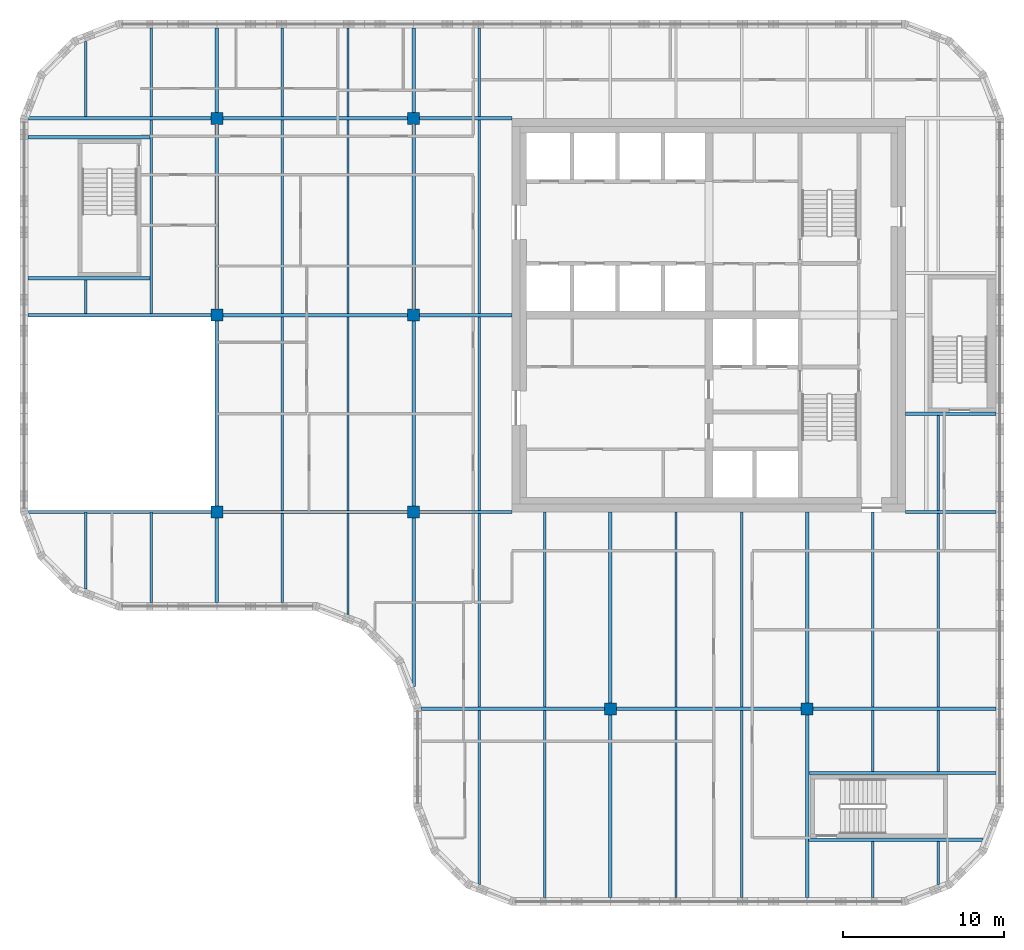
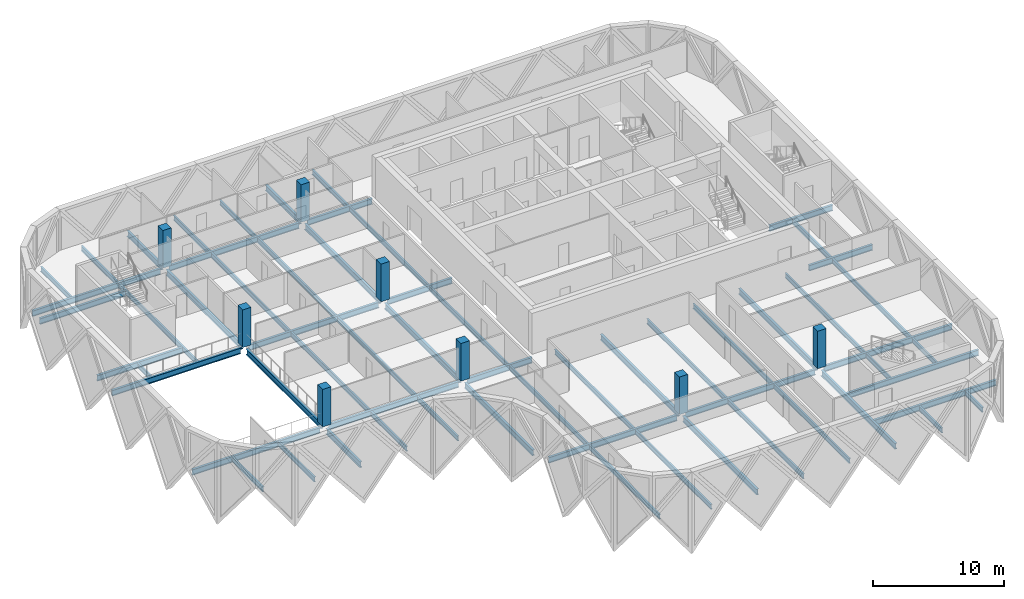
# One storey, part 1 of 15: 62 beams, 8 columns.
"""IFC4 building model written with IfcOpenShell, lengths in metres."""

from ifc_helpers import new_model, si_unit, direction, frame, origin, origin_2d, place, context, subcontext, project, spatial, rectangle, i_section, extrude, material, material_profile, profile_set, type_object, element, save


model = new_model("IFC4")

# Units and contexts
model_context = context("Model", 3, precision=1e-05, world=origin(), true_north=direction((0.0, 1.0)))
body_context = subcontext(model_context, "Body", "Model", "MODEL_VIEW")
ifc_project = project(units=[si_unit("LENGTHUNIT", "METRE"), si_unit("AREAUNIT", "SQUARE_METRE"), si_unit("VOLUMEUNIT", "CUBIC_METRE"), si_unit("PLANEANGLEUNIT", "RADIAN"), si_unit("MASSUNIT", "GRAM", prefix="KILO")], contexts=[model_context])

# Site, building, storey
site_placement = place(None, origin())
site = spatial("IfcSite", under=ifc_project, at=site_placement, CompositionType="ELEMENT")
building_placement = place(site_placement, origin())
building = spatial("IfcBuilding", under=site, at=building_placement, Name="Tessera Gate Towers", CompositionType="ELEMENT")
storey_placement = place(building_placement, frame((0.0, 0.0, 228.300048828125)))
storey = spatial("IfcBuildingStorey", under=building, at=storey_placement, Name="L57", CompositionType="ELEMENT", Elevation=228.300048828125)

# Columns
ifc_material_1 = material(Name="Concrete C70/85", Category="concrete")
ifc_material_profile_1 = material_profile(ifc_material_1, rectangle(XDim=0.75, YDim=0.75, at=origin_2d()), Name="RC 750x750")
ifc_profile_set_1 = profile_set([ifc_material_profile_1], Name="Concrete C70/85")
column_type = type_object("IfcColumnType", Name="COLUMN RC 750x750", PredefinedType="COLUMN", material=ifc_profile_set_1)
for number, where, z_axis, x_axis, name in (
    (1, (12.199951171875, 24.39990234375, 0.0), (0.0, 0.0, 1.0), (1.0, 0.0, 0.0), "T1-COL-2C-L57"),
    (2, (12.199951171875, 36.60009765625, 0.0), (0.0, 0.0, 1.0), (1.0, 0.0, 0.0), "T1-COL-2D-L57"),
    (3, (12.199951171875, 48.800048828125, 0.0), (0.0, 0.0, 1.0), (1.0, 0.0, 0.0), "T1-COL-2E-L57"),
    (4, (24.39990234375, 24.39990234375, 0.0), (0.0, 0.0, 1.0), (1.0, 0.0, 0.0), "T1-COL-3C-L57"),
    (5, (24.39990234375, 36.60009765625, 0.0), (0.0, 0.0, 1.0), (1.0, 0.0, 0.0), "T1-COL-3D-L57"),
    (6, (24.39990234375, 48.800048828125, 0.0), (0.0, 0.0, 1.0), (1.0, 0.0, 0.0), "T1-COL-3E-L57"),
    (7, (36.60009765625, 12.199951171875, 0.0), (0.0, 0.0, 1.0), (1.0, 0.0, 0.0), "T1-COL-4B-L57"),
    (8, (48.800048828125, 12.199951171875, 0.0), (0.0, 0.0, 1.0), (1.0, 0.0, 0.0), "T1-COL-5B-L57"),
):
    element("IfcColumn", number, at=place(storey_placement, frame(where, z_axis=z_axis, x_axis=x_axis)), inside=storey, type_object=column_type, Name=name, PredefinedType="COLUMN", context=body_context, shape_type="SweptSolid", body=[
        extrude(rectangle(XDim=0.75, YDim=0.75, at=origin_2d()), origin(), (0.0, 0.0, 1.0), 3.5),
    ])

# Beams
ifc_material_2 = material(Name="Steel 350W", Category="steel")
ifc_material_profile_2 = material_profile(ifc_material_2, i_section(OverallWidth=0.208984375, OverallDepth=0.532958984375, WebThickness=0.01025390625, FlangeThickness=0.015625, at=origin_2d()), Name="W530x92")
ifc_profile_set_2 = profile_set([ifc_material_profile_2], Name="Steel 350W")
beam_type_1 = type_object("IfcBeamType", Name="FLOOR GIRDER W530x92", PredefinedType="BEAM", material=ifc_profile_set_2)
beam_1_placement = place(storey_placement, frame((24.89892578125, 12.199951171875, -0.466552734375), z_axis=(1.0, 0.0, 0.0), x_axis=(0.0, 1.0, 0.0)))
element("IfcBeam", 9, at=beam_1_placement, inside=storey, type_object=beam_type_1, Name="T1-GD-L57-5774", PredefinedType="BEAM", context=body_context, shape_type="SweptSolid", body=[
    extrude(i_section(OverallWidth=0.208984375, OverallDepth=0.532958984375, WebThickness=0.01025390625, FlangeThickness=0.015625, at=origin_2d()), origin(), (0.0, 0.0, 1.0), 11.326171875),
])
beam_2_placement = place(storey_placement, frame((36.97509765625, 12.199951171875, -0.466552734375), z_axis=(1.0, 0.0, 0.0), x_axis=(0.0, 1.0, 0.0)))
element("IfcBeam", 10, at=beam_2_placement, inside=storey, type_object=beam_type_1, Name="T1-GD-L57-5775", PredefinedType="BEAM", context=body_context, shape_type="SweptSolid", body=[
    extrude(i_section(OverallWidth=0.208984375, OverallDepth=0.532958984375, WebThickness=0.01025390625, FlangeThickness=0.015625, at=origin_2d()), origin(), (0.0, 0.0, 1.0), 11.449951171875),
])
beam_3_placement = place(storey_placement, frame((49.175048828125, 12.199951171875, -0.466552734375), z_axis=(1.0, 0.0, 0.0), x_axis=(0.0, 1.0, 0.0)))
element("IfcBeam", 11, at=beam_3_placement, inside=storey, type_object=beam_type_1, Name="T1-GD-L57-5776", PredefinedType="BEAM", context=body_context, shape_type="SweptSolid", body=[
    extrude(i_section(OverallWidth=0.208984375, OverallDepth=0.532958984375, WebThickness=0.01025390625, FlangeThickness=0.015625, at=origin_2d()), origin(), (0.0, 0.0, 1.0), 11.325927734375),
])
beam_4_placement = place(storey_placement, frame((0.534912109375, 24.39990234375, -0.466552734375), z_axis=(1.0, 0.0, 0.0), x_axis=(0.0, 1.0, 0.0)))
element("IfcBeam", 12, at=beam_4_placement, inside=storey, type_object=beam_type_1, Name="T1-GD-L57-5777", PredefinedType="BEAM", context=body_context, shape_type="SweptSolid", body=[
    extrude(i_section(OverallWidth=0.208984375, OverallDepth=0.532958984375, WebThickness=0.01025390625, FlangeThickness=0.015625, at=origin_2d()), origin(), (0.0, 0.0, 1.0), 11.2900390625),
])
beam_5_placement = place(storey_placement, frame((12.574951171875, 24.39990234375, -0.466552734375), z_axis=(1.0, 0.0, 0.0), x_axis=(0.0, 1.0, 0.0)))
element("IfcBeam", 13, at=beam_5_placement, inside=storey, type_object=beam_type_1, Name="T1-GD-L57-5778", PredefinedType="BEAM", context=body_context, shape_type="SweptSolid", body=[
    extrude(i_section(OverallWidth=0.208984375, OverallDepth=0.532958984375, WebThickness=0.01025390625, FlangeThickness=0.015625, at=origin_2d()), origin(), (0.0, 0.0, 1.0), 11.449951171875),
])
beam_6_placement = place(storey_placement, frame((24.77490234375, 24.39990234375, -0.466552734375), z_axis=(1.0, 0.0, 0.0), x_axis=(0.0, 1.0, 0.0)))
element("IfcBeam", 14, at=beam_6_placement, inside=storey, type_object=beam_type_1, Name="T1-GD-L57-5779", PredefinedType="BEAM", context=body_context, shape_type="SweptSolid", body=[
    extrude(i_section(OverallWidth=0.208984375, OverallDepth=0.532958984375, WebThickness=0.01025390625, FlangeThickness=0.015625, at=origin_2d()), origin(), (0.0, 0.0, 1.0), 5.72412109375),
])
beam_7_placement = place(storey_placement, frame((54.90087890625, 24.39990234375, -0.466552734375), z_axis=(1.0, 0.0, 0.0), x_axis=(0.0, 1.0, 0.0)))
element("IfcBeam", 15, at=beam_7_placement, inside=storey, type_object=beam_type_1, Name="T1-GD-L57-5780", PredefinedType="BEAM", context=body_context, shape_type="SweptSolid", body=[
    extrude(i_section(OverallWidth=0.208984375, OverallDepth=0.532958984375, WebThickness=0.01025390625, FlangeThickness=0.015625, at=origin_2d()), origin(), (0.0, 0.0, 1.0), 5.60009765625),
])
beam_8_placement = place(storey_placement, frame((0.4990234375, 36.60009765625, -0.466552734375), z_axis=(1.0, 0.0, 0.0), x_axis=(0.0, 1.0, 0.0)))
element("IfcBeam", 16, at=beam_8_placement, inside=storey, type_object=beam_type_1, Name="T1-GD-L57-5781", PredefinedType="BEAM", context=body_context, shape_type="SweptSolid", body=[
    extrude(i_section(OverallWidth=0.208984375, OverallDepth=0.532958984375, WebThickness=0.01025390625, FlangeThickness=0.015625, at=origin_2d()), origin(), (0.0, 0.0, 1.0), 11.325927734375),
])
beam_9_placement = place(storey_placement, frame((12.574951171875, 36.60009765625, -0.466552734375), z_axis=(1.0, 0.0, 0.0), x_axis=(0.0, 1.0, 0.0)))
element("IfcBeam", 17, at=beam_9_placement, inside=storey, type_object=beam_type_1, Name="T1-GD-L57-5782", PredefinedType="BEAM", context=body_context, shape_type="SweptSolid", body=[
    extrude(i_section(OverallWidth=0.208984375, OverallDepth=0.532958984375, WebThickness=0.01025390625, FlangeThickness=0.015625, at=origin_2d()), origin(), (0.0, 0.0, 1.0), 11.449951171875),
])
beam_10_placement = place(storey_placement, frame((24.77490234375, 36.60009765625, -0.466552734375), z_axis=(1.0, 0.0, 0.0), x_axis=(0.0, 1.0, 0.0)))
element("IfcBeam", 18, at=beam_10_placement, inside=storey, type_object=beam_type_1, Name="T1-GD-L57-5783", PredefinedType="BEAM", context=body_context, shape_type="SweptSolid", body=[
    extrude(i_section(OverallWidth=0.208984375, OverallDepth=0.532958984375, WebThickness=0.01025390625, FlangeThickness=0.015625, at=origin_2d()), origin(), (0.0, 0.0, 1.0), 5.72607421875),
])
beam_11_placement = place(storey_placement, frame((0.534912109375, 48.800048828125, -0.466552734375), z_axis=(1.0, 0.0, 0.0), x_axis=(0.0, 1.0, 0.0)))
element("IfcBeam", 19, at=beam_11_placement, inside=storey, type_object=beam_type_1, Name="T1-GD-L57-5785", PredefinedType="BEAM", context=body_context, shape_type="SweptSolid", body=[
    extrude(i_section(OverallWidth=0.208984375, OverallDepth=0.532958984375, WebThickness=0.01025390625, FlangeThickness=0.015625, at=origin_2d()), origin(), (0.0, 0.0, 1.0), 11.2900390625),
])
beam_12_placement = place(storey_placement, frame((12.574951171875, 48.800048828125, -0.466552734375), z_axis=(1.0, 0.0, 0.0), x_axis=(0.0, 1.0, 0.0)))
element("IfcBeam", 20, at=beam_12_placement, inside=storey, type_object=beam_type_1, Name="T1-GD-L57-5786", PredefinedType="BEAM", context=body_context, shape_type="SweptSolid", body=[
    extrude(i_section(OverallWidth=0.208984375, OverallDepth=0.532958984375, WebThickness=0.01025390625, FlangeThickness=0.015625, at=origin_2d()), origin(), (0.0, 0.0, 1.0), 11.449951171875),
])
beam_13_placement = place(storey_placement, frame((24.77490234375, 48.800048828125, -0.466552734375), z_axis=(1.0, 0.0, 0.0), x_axis=(0.0, 1.0, 0.0)))
element("IfcBeam", 21, at=beam_13_placement, inside=storey, type_object=beam_type_1, Name="T1-GD-L57-5787", PredefinedType="BEAM", context=body_context, shape_type="SweptSolid", body=[
    extrude(i_section(OverallWidth=0.208984375, OverallDepth=0.532958984375, WebThickness=0.01025390625, FlangeThickness=0.015625, at=origin_2d()), origin(), (0.0, 0.0, 1.0), 5.72412109375),
])
beam_14_placement = place(storey_placement, frame((12.199951171875, 18.799072265625, -0.466552734375), z_axis=(0.0, 1.0, 0.0), x_axis=(-1.0, 0.0, 0.0)))
element("IfcBeam", 22, at=beam_14_placement, inside=storey, type_object=beam_type_1, Name="T1-GD-L57-5789", PredefinedType="BEAM", context=body_context, shape_type="SweptSolid", body=[
    extrude(i_section(OverallWidth=0.208984375, OverallDepth=0.532958984375, WebThickness=0.01025390625, FlangeThickness=0.015625, at=origin_2d()), origin(), (0.0, 0.0, 1.0), 5.225830078125),
])
beam_15_placement = place(storey_placement, frame((12.199951171875, 24.77490234375, -0.466552734375), z_axis=(0.0, 1.0, 0.0), x_axis=(-1.0, 0.0, 0.0)))
element("IfcBeam", 23, at=beam_15_placement, inside=storey, type_object=beam_type_1, Name="T1-GD-L57-5790", PredefinedType="BEAM", context=body_context, shape_type="SweptSolid", body=[
    extrude(i_section(OverallWidth=0.208984375, OverallDepth=0.532958984375, WebThickness=0.01025390625, FlangeThickness=0.015625, at=origin_2d()), origin(), (0.0, 0.0, 1.0), 11.4501953125),
])
beam_16_placement = place(storey_placement, frame((12.199951171875, 36.97509765625, -0.466552734375), z_axis=(0.0, 1.0, 0.0), x_axis=(-1.0, 0.0, 0.0)))
element("IfcBeam", 24, at=beam_16_placement, inside=storey, type_object=beam_type_1, Name="T1-GD-L57-5791", PredefinedType="BEAM", context=body_context, shape_type="SweptSolid", body=[
    extrude(i_section(OverallWidth=0.208984375, OverallDepth=0.532958984375, WebThickness=0.01025390625, FlangeThickness=0.015625, at=origin_2d()), origin(), (0.0, 0.0, 1.0), 11.449951171875),
])
beam_17_placement = place(storey_placement, frame((12.199951171875, 49.175048828125, -0.466552734375), z_axis=(0.0, 1.0, 0.0), x_axis=(-1.0, 0.0, 0.0)))
element("IfcBeam", 25, at=beam_17_placement, inside=storey, type_object=beam_type_1, Name="T1-GD-L57-5792", PredefinedType="BEAM", context=body_context, shape_type="SweptSolid", body=[
    extrude(i_section(OverallWidth=0.208984375, OverallDepth=0.532958984375, WebThickness=0.01025390625, FlangeThickness=0.015625, at=origin_2d()), origin(), (0.0, 0.0, 1.0), 5.225830078125),
])
beam_18_placement = place(storey_placement, frame((24.39990234375, 13.58642578125, -0.466552734375), z_axis=(0.0, 1.0, 0.0), x_axis=(-1.0, 0.0, 0.0)))
element("IfcBeam", 26, at=beam_18_placement, inside=storey, type_object=beam_type_1, Name="T1-GD-L57-5793", PredefinedType="BEAM", context=body_context, shape_type="SweptSolid", body=[
    extrude(i_section(OverallWidth=0.208984375, OverallDepth=0.532958984375, WebThickness=0.01025390625, FlangeThickness=0.015625, at=origin_2d()), origin(), (0.0, 0.0, 1.0), 10.4384765625),
])
beam_19_placement = place(storey_placement, frame((24.39990234375, 24.77490234375, -0.466552734375), z_axis=(0.0, 1.0, 0.0), x_axis=(-1.0, 0.0, 0.0)))
element("IfcBeam", 27, at=beam_19_placement, inside=storey, type_object=beam_type_1, Name="T1-GD-L57-5794", PredefinedType="BEAM", context=body_context, shape_type="SweptSolid", body=[
    extrude(i_section(OverallWidth=0.208984375, OverallDepth=0.532958984375, WebThickness=0.01025390625, FlangeThickness=0.015625, at=origin_2d()), origin(), (0.0, 0.0, 1.0), 11.4501953125),
])
beam_20_placement = place(storey_placement, frame((24.39990234375, 36.97509765625, -0.466552734375), z_axis=(0.0, 1.0, 0.0), x_axis=(-1.0, 0.0, 0.0)))
element("IfcBeam", 28, at=beam_20_placement, inside=storey, type_object=beam_type_1, Name="T1-GD-L57-5795", PredefinedType="BEAM", context=body_context, shape_type="SweptSolid", body=[
    extrude(i_section(OverallWidth=0.208984375, OverallDepth=0.532958984375, WebThickness=0.01025390625, FlangeThickness=0.015625, at=origin_2d()), origin(), (0.0, 0.0, 1.0), 11.449951171875),
])
beam_21_placement = place(storey_placement, frame((24.39990234375, 49.175048828125, -0.466552734375), z_axis=(0.0, 1.0, 0.0), x_axis=(-1.0, 0.0, 0.0)))
element("IfcBeam", 29, at=beam_21_placement, inside=storey, type_object=beam_type_1, Name="T1-GD-L57-5796", PredefinedType="BEAM", context=body_context, shape_type="SweptSolid", body=[
    extrude(i_section(OverallWidth=0.208984375, OverallDepth=0.532958984375, WebThickness=0.01025390625, FlangeThickness=0.015625, at=origin_2d()), origin(), (0.0, 0.0, 1.0), 5.225830078125),
])
beam_22_placement = place(storey_placement, frame((36.60009765625, 0.4990234375, -0.466552734375), z_axis=(0.0, 1.0, 0.0), x_axis=(-1.0, 0.0, 0.0)))
element("IfcBeam", 30, at=beam_22_placement, inside=storey, type_object=beam_type_1, Name="T1-GD-L57-5797", PredefinedType="BEAM", context=body_context, shape_type="SweptSolid", body=[
    extrude(i_section(OverallWidth=0.208984375, OverallDepth=0.532958984375, WebThickness=0.01025390625, FlangeThickness=0.015625, at=origin_2d()), origin(), (0.0, 0.0, 1.0), 11.325927734375),
])
beam_23_placement = place(storey_placement, frame((36.60009765625, 12.574951171875, -0.466552734375), z_axis=(0.0, 1.0, 0.0), x_axis=(-1.0, 0.0, 0.0)))
element("IfcBeam", 31, at=beam_23_placement, inside=storey, type_object=beam_type_1, Name="T1-GD-L57-5798", PredefinedType="BEAM", context=body_context, shape_type="SweptSolid", body=[
    extrude(i_section(OverallWidth=0.208984375, OverallDepth=0.532958984375, WebThickness=0.01025390625, FlangeThickness=0.015625, at=origin_2d()), origin(), (0.0, 0.0, 1.0), 11.824951171875),
])
beam_24_placement = place(storey_placement, frame((48.800048828125, 0.4990234375, -0.466552734375), z_axis=(0.0, 1.0, 0.0), x_axis=(-1.0, 0.0, 0.0)))
element("IfcBeam", 32, at=beam_24_placement, inside=storey, type_object=beam_type_1, Name="T1-GD-L57-5799", PredefinedType="BEAM", context=body_context, shape_type="SweptSolid", body=[
    extrude(i_section(OverallWidth=0.208984375, OverallDepth=0.532958984375, WebThickness=0.01025390625, FlangeThickness=0.015625, at=origin_2d()), origin(), (0.0, 0.0, 1.0), 11.325927734375),
])
beam_25_placement = place(storey_placement, frame((48.800048828125, 12.574951171875, -0.466552734375), z_axis=(0.0, 1.0, 0.0), x_axis=(-1.0, 0.0, 0.0)))
element("IfcBeam", 33, at=beam_25_placement, inside=storey, type_object=beam_type_1, Name="T1-GD-L57-5800", PredefinedType="BEAM", context=body_context, shape_type="SweptSolid", body=[
    extrude(i_section(OverallWidth=0.208984375, OverallDepth=0.532958984375, WebThickness=0.01025390625, FlangeThickness=0.015625, at=origin_2d()), origin(), (0.0, 0.0, 1.0), 11.824951171875),
])
for number, where, z_axis, x_axis, name in (
    (34, (0.4990234375, 38.8798828125, -0.466552734375), (1.0, 0.0, 0.0), (0.0, 1.0, 0.0), "T1-GD-L57-5801"),
    (35, (0.4990234375, 47.6201171875, -0.466552734375), (1.0, 0.0, 0.0), (0.0, 1.0, 0.0), "T1-GD-L57-5802"),
):
    element("IfcBeam", number, at=place(storey_placement, frame(where, z_axis=z_axis, x_axis=x_axis)), inside=storey, type_object=beam_type_1, Name=name, PredefinedType="BEAM", context=body_context, shape_type="SweptSolid", body=[
        extrude(i_section(OverallWidth=0.208984375, OverallDepth=0.532958984375, WebThickness=0.01025390625, FlangeThickness=0.015625, at=origin_2d()), origin(), (0.0, 0.0, 1.0), 7.557861328125),
    ])
beam_26_placement = place(storey_placement, frame((48.87646484375, 4.080078125, -0.466552734375), z_axis=(1.0, 0.0, 0.0), x_axis=(0.0, 1.0, 0.0)))
element("IfcBeam", 36, at=beam_26_placement, inside=storey, type_object=beam_type_1, Name="T1-GD-L57-5803", PredefinedType="BEAM", context=body_context, shape_type="SweptSolid", body=[
    extrude(i_section(OverallWidth=0.208984375, OverallDepth=0.532958984375, WebThickness=0.01025390625, FlangeThickness=0.015625, at=origin_2d()), origin(), (0.0, 0.0, 1.0), 10.809326171875),
])
beam_27_placement = place(storey_placement, frame((48.87646484375, 8.219970703125, -0.466552734375), z_axis=(1.0, 0.0, 0.0), x_axis=(0.0, 1.0, 0.0)))
element("IfcBeam", 37, at=beam_27_placement, inside=storey, type_object=beam_type_1, Name="T1-GD-L57-5804", PredefinedType="BEAM", context=body_context, shape_type="SweptSolid", body=[
    extrude(i_section(OverallWidth=0.208984375, OverallDepth=0.532958984375, WebThickness=0.01025390625, FlangeThickness=0.015625, at=origin_2d()), origin(), (0.0, 0.0, 1.0), 11.62451171875),
])
beam_28_placement = place(storey_placement, frame((54.89892578125, 30.47998046875, -0.466552734375), z_axis=(1.0, 0.0, 0.0), x_axis=(0.0, 1.0, 0.0)))
element("IfcBeam", 38, at=beam_28_placement, inside=storey, type_object=beam_type_1, Name="T1-GD-L57-5805", PredefinedType="BEAM", context=body_context, shape_type="SweptSolid", body=[
    extrude(i_section(OverallWidth=0.208984375, OverallDepth=0.532958984375, WebThickness=0.01025390625, FlangeThickness=0.015625, at=origin_2d()), origin(), (0.0, 0.0, 1.0), 5.60205078125),
])
ifc_material_3 = material(Name="Steel 350W", Category="steel")
ifc_material_profile_3 = material_profile(ifc_material_3, i_section(OverallWidth=0.153076171875, OverallDepth=0.455078125, WebThickness=0.008056640625, FlangeThickness=0.01318359375, at=origin_2d()), Name="W460x60")
ifc_profile_set_3 = profile_set([ifc_material_profile_3], Name="Steel 350W")
beam_type_2 = type_object("IfcBeamType", Name="FLOOR SECONDARY W460x60", PredefinedType="BEAM", material=ifc_profile_set_3)
beam_29_placement = place(storey_placement, frame((4.066650390625, 19.620361328125, -0.427490234375), z_axis=(0.0, 1.0, 0.0), x_axis=(-1.0, 0.0, 0.0)))
element("IfcBeam", 39, at=beam_29_placement, inside=storey, type_object=beam_type_2, Name="T1-BM-L57-5808", PredefinedType="BEAM", context=body_context, shape_type="SweptSolid", body=[
    extrude(i_section(OverallWidth=0.153076171875, OverallDepth=0.455078125, WebThickness=0.008056640625, FlangeThickness=0.01318359375, at=origin_2d()), origin(), (0.0, 0.0, 1.0), 4.779541015625),
])
beam_30_placement = place(storey_placement, frame((4.066650390625, 36.70458984375, -0.427490234375), z_axis=(0.0, 1.0, 0.0), x_axis=(-1.0, 0.0, 0.0)))
element("IfcBeam", 40, at=beam_30_placement, inside=storey, type_object=beam_type_2, Name="T1-BM-L57-5809", PredefinedType="BEAM", context=body_context, shape_type="SweptSolid", body=[
    extrude(i_section(OverallWidth=0.153076171875, OverallDepth=0.455078125, WebThickness=0.008056640625, FlangeThickness=0.01318359375, at=origin_2d()), origin(), (0.0, 0.0, 1.0), 2.07080078125),
])
beam_31_placement = place(storey_placement, frame((4.066650390625, 48.904541015625, -0.427490234375), z_axis=(0.0, 1.0, 0.0), x_axis=(-1.0, 0.0, 0.0)))
element("IfcBeam", 41, at=beam_31_placement, inside=storey, type_object=beam_type_2, Name="T1-BM-L57-5810", PredefinedType="BEAM", context=body_context, shape_type="SweptSolid", body=[
    extrude(i_section(OverallWidth=0.153076171875, OverallDepth=0.455078125, WebThickness=0.008056640625, FlangeThickness=0.01318359375, at=origin_2d()), origin(), (0.0, 0.0, 1.0), 4.675048828125),
])
beam_32_placement = place(storey_placement, frame((8.13330078125, 18.800048828125, -0.427490234375), z_axis=(0.0, 1.0, 0.0), x_axis=(-1.0, 0.0, 0.0)))
element("IfcBeam", 42, at=beam_32_placement, inside=storey, type_object=beam_type_2, Name="T1-BM-L57-5811", PredefinedType="BEAM", context=body_context, shape_type="SweptSolid", body=[
    extrude(i_section(OverallWidth=0.153076171875, OverallDepth=0.455078125, WebThickness=0.008056640625, FlangeThickness=0.01318359375, at=origin_2d()), origin(), (0.0, 0.0, 1.0), 5.599853515625),
])
beam_33_placement = place(storey_placement, frame((8.13330078125, 36.70458984375, -0.427490234375), z_axis=(0.0, 1.0, 0.0), x_axis=(-1.0, 0.0, 0.0)))
element("IfcBeam", 43, at=beam_33_placement, inside=storey, type_object=beam_type_2, Name="T1-BM-L57-5812", PredefinedType="BEAM", context=body_context, shape_type="SweptSolid", body=[
    extrude(i_section(OverallWidth=0.153076171875, OverallDepth=0.455078125, WebThickness=0.008056640625, FlangeThickness=0.01318359375, at=origin_2d()), origin(), (0.0, 0.0, 1.0), 11.990966796875),
])
for number, where, z_axis, x_axis, name in (
    (44, (8.13330078125, 48.904541015625, -0.427490234375), (0.0, 1.0, 0.0), (-1.0, 0.0, 0.0), "T1-BM-L57-5813"),
    (45, (16.2666015625, 18.800048828125, -0.427490234375), (0.0, 1.0, 0.0), (-1.0, 0.0, 0.0), "T1-BM-L57-5814"),
):
    element("IfcBeam", number, at=place(storey_placement, frame(where, z_axis=z_axis, x_axis=x_axis)), inside=storey, type_object=beam_type_2, Name=name, PredefinedType="BEAM", context=body_context, shape_type="SweptSolid", body=[
        extrude(i_section(OverallWidth=0.153076171875, OverallDepth=0.455078125, WebThickness=0.008056640625, FlangeThickness=0.01318359375, at=origin_2d()), origin(), (0.0, 0.0, 1.0), 5.495361328125),
    ])
beam_34_placement = place(storey_placement, frame((16.2666015625, 24.50439453125, -0.427490234375), z_axis=(0.0, 1.0, 0.0), x_axis=(-1.0, 0.0, 0.0)))
element("IfcBeam", 46, at=beam_34_placement, inside=storey, type_object=beam_type_2, Name="T1-BM-L57-5815", PredefinedType="BEAM", context=body_context, shape_type="SweptSolid", body=[
    extrude(i_section(OverallWidth=0.153076171875, OverallDepth=0.455078125, WebThickness=0.008056640625, FlangeThickness=0.01318359375, at=origin_2d()), origin(), (0.0, 0.0, 1.0), 11.9912109375),
])
beam_35_placement = place(storey_placement, frame((16.2666015625, 36.70458984375, -0.427490234375), z_axis=(0.0, 1.0, 0.0), x_axis=(-1.0, 0.0, 0.0)))
element("IfcBeam", 47, at=beam_35_placement, inside=storey, type_object=beam_type_2, Name="T1-BM-L57-5816", PredefinedType="BEAM", context=body_context, shape_type="SweptSolid", body=[
    extrude(i_section(OverallWidth=0.153076171875, OverallDepth=0.455078125, WebThickness=0.008056640625, FlangeThickness=0.01318359375, at=origin_2d()), origin(), (0.0, 0.0, 1.0), 11.990966796875),
])
beam_36_placement = place(storey_placement, frame((16.2666015625, 48.904541015625, -0.427490234375), z_axis=(0.0, 1.0, 0.0), x_axis=(-1.0, 0.0, 0.0)))
element("IfcBeam", 48, at=beam_36_placement, inside=storey, type_object=beam_type_2, Name="T1-BM-L57-5817", PredefinedType="BEAM", context=body_context, shape_type="SweptSolid", body=[
    extrude(i_section(OverallWidth=0.153076171875, OverallDepth=0.455078125, WebThickness=0.008056640625, FlangeThickness=0.01318359375, at=origin_2d()), origin(), (0.0, 0.0, 1.0), 5.495361328125),
])
beam_37_placement = place(storey_placement, frame((20.333251953125, 18.051513671875, -0.427490234375), z_axis=(0.0, 1.0, 0.0), x_axis=(-1.0, 0.0, 0.0)))
element("IfcBeam", 49, at=beam_37_placement, inside=storey, type_object=beam_type_2, Name="T1-BM-L57-5818", PredefinedType="BEAM", context=body_context, shape_type="SweptSolid", body=[
    extrude(i_section(OverallWidth=0.153076171875, OverallDepth=0.455078125, WebThickness=0.008056640625, FlangeThickness=0.01318359375, at=origin_2d()), origin(), (0.0, 0.0, 1.0), 6.243896484375),
])
beam_38_placement = place(storey_placement, frame((20.333251953125, 24.50439453125, -0.427490234375), z_axis=(0.0, 1.0, 0.0), x_axis=(-1.0, 0.0, 0.0)))
element("IfcBeam", 50, at=beam_38_placement, inside=storey, type_object=beam_type_2, Name="T1-BM-L57-5819", PredefinedType="BEAM", context=body_context, shape_type="SweptSolid", body=[
    extrude(i_section(OverallWidth=0.153076171875, OverallDepth=0.455078125, WebThickness=0.008056640625, FlangeThickness=0.01318359375, at=origin_2d()), origin(), (0.0, 0.0, 1.0), 11.9912109375),
])
beam_39_placement = place(storey_placement, frame((20.333251953125, 36.70458984375, -0.427490234375), z_axis=(0.0, 1.0, 0.0), x_axis=(-1.0, 0.0, 0.0)))
element("IfcBeam", 51, at=beam_39_placement, inside=storey, type_object=beam_type_2, Name="T1-BM-L57-5820", PredefinedType="BEAM", context=body_context, shape_type="SweptSolid", body=[
    extrude(i_section(OverallWidth=0.153076171875, OverallDepth=0.455078125, WebThickness=0.008056640625, FlangeThickness=0.01318359375, at=origin_2d()), origin(), (0.0, 0.0, 1.0), 11.990966796875),
])
beam_40_placement = place(storey_placement, frame((20.333251953125, 48.904541015625, -0.427490234375), z_axis=(0.0, 1.0, 0.0), x_axis=(-1.0, 0.0, 0.0)))
element("IfcBeam", 52, at=beam_40_placement, inside=storey, type_object=beam_type_2, Name="T1-BM-L57-5821", PredefinedType="BEAM", context=body_context, shape_type="SweptSolid", body=[
    extrude(i_section(OverallWidth=0.153076171875, OverallDepth=0.455078125, WebThickness=0.008056640625, FlangeThickness=0.01318359375, at=origin_2d()), origin(), (0.0, 0.0, 1.0), 5.495361328125),
])
beam_41_placement = place(storey_placement, frame((28.466796875, 1.3203125, -0.427490234375), z_axis=(0.0, 1.0, 0.0), x_axis=(-1.0, 0.0, 0.0)))
element("IfcBeam", 53, at=beam_41_placement, inside=storey, type_object=beam_type_2, Name="T1-BM-L57-5822", PredefinedType="BEAM", context=body_context, shape_type="SweptSolid", body=[
    extrude(i_section(OverallWidth=0.153076171875, OverallDepth=0.455078125, WebThickness=0.008056640625, FlangeThickness=0.01318359375, at=origin_2d()), origin(), (0.0, 0.0, 1.0), 10.775146484375),
])
beam_42_placement = place(storey_placement, frame((28.466796875, 12.304443359375, -0.427490234375), z_axis=(0.0, 1.0, 0.0), x_axis=(-1.0, 0.0, 0.0)))
element("IfcBeam", 54, at=beam_42_placement, inside=storey, type_object=beam_type_2, Name="T1-BM-L57-5823", PredefinedType="BEAM", context=body_context, shape_type="SweptSolid", body=[
    extrude(i_section(OverallWidth=0.153076171875, OverallDepth=0.455078125, WebThickness=0.008056640625, FlangeThickness=0.01318359375, at=origin_2d()), origin(), (0.0, 0.0, 1.0), 11.990966796875),
])
beam_43_placement = place(storey_placement, frame((28.466796875, 24.50439453125, -0.427490234375), z_axis=(0.0, 1.0, 0.0), x_axis=(-1.0, 0.0, 0.0)))
element("IfcBeam", 55, at=beam_43_placement, inside=storey, type_object=beam_type_2, Name="T1-BM-L57-5824", PredefinedType="BEAM", context=body_context, shape_type="SweptSolid", body=[
    extrude(i_section(OverallWidth=0.153076171875, OverallDepth=0.455078125, WebThickness=0.008056640625, FlangeThickness=0.01318359375, at=origin_2d()), origin(), (0.0, 0.0, 1.0), 11.9912109375),
])
beam_44_placement = place(storey_placement, frame((28.466796875, 36.70458984375, -0.427490234375), z_axis=(0.0, 1.0, 0.0), x_axis=(-1.0, 0.0, 0.0)))
element("IfcBeam", 56, at=beam_44_placement, inside=storey, type_object=beam_type_2, Name="T1-BM-L57-5825", PredefinedType="BEAM", context=body_context, shape_type="SweptSolid", body=[
    extrude(i_section(OverallWidth=0.153076171875, OverallDepth=0.455078125, WebThickness=0.008056640625, FlangeThickness=0.01318359375, at=origin_2d()), origin(), (0.0, 0.0, 1.0), 11.990966796875),
])
beam_45_placement = place(storey_placement, frame((28.466796875, 48.904541015625, -0.427490234375), z_axis=(0.0, 1.0, 0.0), x_axis=(-1.0, 0.0, 0.0)))
element("IfcBeam", 57, at=beam_45_placement, inside=storey, type_object=beam_type_2, Name="T1-BM-L57-5826", PredefinedType="BEAM", context=body_context, shape_type="SweptSolid", body=[
    extrude(i_section(OverallWidth=0.153076171875, OverallDepth=0.455078125, WebThickness=0.008056640625, FlangeThickness=0.01318359375, at=origin_2d()), origin(), (0.0, 0.0, 1.0), 5.495361328125),
])
beam_46_placement = place(storey_placement, frame((32.533203125, 0.5, -0.427490234375), z_axis=(0.0, 1.0, 0.0), x_axis=(-1.0, 0.0, 0.0)))
element("IfcBeam", 58, at=beam_46_placement, inside=storey, type_object=beam_type_2, Name="T1-BM-L57-5827", PredefinedType="BEAM", context=body_context, shape_type="SweptSolid", body=[
    extrude(i_section(OverallWidth=0.153076171875, OverallDepth=0.455078125, WebThickness=0.008056640625, FlangeThickness=0.01318359375, at=origin_2d()), origin(), (0.0, 0.0, 1.0), 11.595458984375),
])
beam_47_placement = place(storey_placement, frame((32.533203125, 12.304443359375, -0.427490234375), z_axis=(0.0, 1.0, 0.0), x_axis=(-1.0, 0.0, 0.0)))
element("IfcBeam", 59, at=beam_47_placement, inside=storey, type_object=beam_type_2, Name="T1-BM-L57-5828", PredefinedType="BEAM", context=body_context, shape_type="SweptSolid", body=[
    extrude(i_section(OverallWidth=0.153076171875, OverallDepth=0.455078125, WebThickness=0.008056640625, FlangeThickness=0.01318359375, at=origin_2d()), origin(), (0.0, 0.0, 1.0), 12.095458984375),
])
beam_48_placement = place(storey_placement, frame((40.666748046875, 0.5, -0.427490234375), z_axis=(0.0, 1.0, 0.0), x_axis=(-1.0, 0.0, 0.0)))
element("IfcBeam", 60, at=beam_48_placement, inside=storey, type_object=beam_type_2, Name="T1-BM-L57-5831", PredefinedType="BEAM", context=body_context, shape_type="SweptSolid", body=[
    extrude(i_section(OverallWidth=0.153076171875, OverallDepth=0.455078125, WebThickness=0.008056640625, FlangeThickness=0.01318359375, at=origin_2d()), origin(), (0.0, 0.0, 1.0), 11.595458984375),
])
beam_49_placement = place(storey_placement, frame((40.666748046875, 12.304443359375, -0.427490234375), z_axis=(0.0, 1.0, 0.0), x_axis=(-1.0, 0.0, 0.0)))
element("IfcBeam", 61, at=beam_49_placement, inside=storey, type_object=beam_type_2, Name="T1-BM-L57-5832", PredefinedType="BEAM", context=body_context, shape_type="SweptSolid", body=[
    extrude(i_section(OverallWidth=0.153076171875, OverallDepth=0.455078125, WebThickness=0.008056640625, FlangeThickness=0.01318359375, at=origin_2d()), origin(), (0.0, 0.0, 1.0), 12.095458984375),
])
beam_50_placement = place(storey_placement, frame((44.7333984375, 0.5, -0.427490234375), z_axis=(0.0, 1.0, 0.0), x_axis=(-1.0, 0.0, 0.0)))
element("IfcBeam", 62, at=beam_50_placement, inside=storey, type_object=beam_type_2, Name="T1-BM-L57-5834", PredefinedType="BEAM", context=body_context, shape_type="SweptSolid", body=[
    extrude(i_section(OverallWidth=0.153076171875, OverallDepth=0.455078125, WebThickness=0.008056640625, FlangeThickness=0.01318359375, at=origin_2d()), origin(), (0.0, 0.0, 1.0), 11.595458984375),
])
beam_51_placement = place(storey_placement, frame((44.7333984375, 12.304443359375, -0.427490234375), z_axis=(0.0, 1.0, 0.0), x_axis=(-1.0, 0.0, 0.0)))
element("IfcBeam", 63, at=beam_51_placement, inside=storey, type_object=beam_type_2, Name="T1-BM-L57-5835", PredefinedType="BEAM", context=body_context, shape_type="SweptSolid", body=[
    extrude(i_section(OverallWidth=0.153076171875, OverallDepth=0.455078125, WebThickness=0.008056640625, FlangeThickness=0.01318359375, at=origin_2d()), origin(), (0.0, 0.0, 1.0), 12.095458984375),
])
beam_52_placement = place(storey_placement, frame((52.86669921875, 0.5, -0.427490234375), z_axis=(0.0, 1.0, 0.0), x_axis=(-1.0, 0.0, 0.0)))
element("IfcBeam", 64, at=beam_52_placement, inside=storey, type_object=beam_type_2, Name="T1-BM-L57-5838", PredefinedType="BEAM", context=body_context, shape_type="SweptSolid", body=[
    extrude(i_section(OverallWidth=0.153076171875, OverallDepth=0.455078125, WebThickness=0.008056640625, FlangeThickness=0.01318359375, at=origin_2d()), origin(), (0.0, 0.0, 1.0), 3.4755859375),
])
beam_53_placement = place(storey_placement, frame((52.86669921875, 8.324462890625, -0.427490234375), z_axis=(0.0, 1.0, 0.0), x_axis=(-1.0, 0.0, 0.0)))
element("IfcBeam", 65, at=beam_53_placement, inside=storey, type_object=beam_type_2, Name="T1-BM-L57-5839", PredefinedType="BEAM", context=body_context, shape_type="SweptSolid", body=[
    extrude(i_section(OverallWidth=0.153076171875, OverallDepth=0.455078125, WebThickness=0.008056640625, FlangeThickness=0.01318359375, at=origin_2d()), origin(), (0.0, 0.0, 1.0), 3.77099609375),
])
beam_54_placement = place(storey_placement, frame((52.86669921875, 12.304443359375, -0.427490234375), z_axis=(0.0, 1.0, 0.0), x_axis=(-1.0, 0.0, 0.0)))
element("IfcBeam", 66, at=beam_54_placement, inside=storey, type_object=beam_type_2, Name="T1-BM-L57-5840", PredefinedType="BEAM", context=body_context, shape_type="SweptSolid", body=[
    extrude(i_section(OverallWidth=0.153076171875, OverallDepth=0.455078125, WebThickness=0.008056640625, FlangeThickness=0.01318359375, at=origin_2d()), origin(), (0.0, 0.0, 1.0), 12.095458984375),
])
beam_55_placement = place(storey_placement, frame((56.933349609375, 1.3203125, -0.427490234375), z_axis=(0.0, 1.0, 0.0), x_axis=(-1.0, 0.0, 0.0)))
element("IfcBeam", 67, at=beam_55_placement, inside=storey, type_object=beam_type_2, Name="T1-BM-L57-5842", PredefinedType="BEAM", context=body_context, shape_type="SweptSolid", body=[
    extrude(i_section(OverallWidth=0.153076171875, OverallDepth=0.455078125, WebThickness=0.008056640625, FlangeThickness=0.01318359375, at=origin_2d()), origin(), (0.0, 0.0, 1.0), 2.6552734375),
])
beam_56_placement = place(storey_placement, frame((56.933349609375, 8.324462890625, -0.427490234375), z_axis=(0.0, 1.0, 0.0), x_axis=(-1.0, 0.0, 0.0)))
element("IfcBeam", 68, at=beam_56_placement, inside=storey, type_object=beam_type_2, Name="T1-BM-L57-5843", PredefinedType="BEAM", context=body_context, shape_type="SweptSolid", body=[
    extrude(i_section(OverallWidth=0.153076171875, OverallDepth=0.455078125, WebThickness=0.008056640625, FlangeThickness=0.01318359375, at=origin_2d()), origin(), (0.0, 0.0, 1.0), 3.77099609375),
])
beam_57_placement = place(storey_placement, frame((56.933349609375, 12.304443359375, -0.427490234375), z_axis=(0.0, 1.0, 0.0), x_axis=(-1.0, 0.0, 0.0)))
element("IfcBeam", 69, at=beam_57_placement, inside=storey, type_object=beam_type_2, Name="T1-BM-L57-5844", PredefinedType="BEAM", context=body_context, shape_type="SweptSolid", body=[
    extrude(i_section(OverallWidth=0.153076171875, OverallDepth=0.455078125, WebThickness=0.008056640625, FlangeThickness=0.01318359375, at=origin_2d()), origin(), (0.0, 0.0, 1.0), 11.990966796875),
])
beam_58_placement = place(storey_placement, frame((56.933349609375, 24.50439453125, -0.427490234375), z_axis=(0.0, 1.0, 0.0), x_axis=(-1.0, 0.0, 0.0)))
element("IfcBeam", 70, at=beam_58_placement, inside=storey, type_object=beam_type_2, Name="T1-BM-L57-5845", PredefinedType="BEAM", context=body_context, shape_type="SweptSolid", body=[
    extrude(i_section(OverallWidth=0.153076171875, OverallDepth=0.455078125, WebThickness=0.008056640625, FlangeThickness=0.01318359375, at=origin_2d()), origin(), (0.0, 0.0, 1.0), 5.87109375),
])

save(model, "model.ifc")
